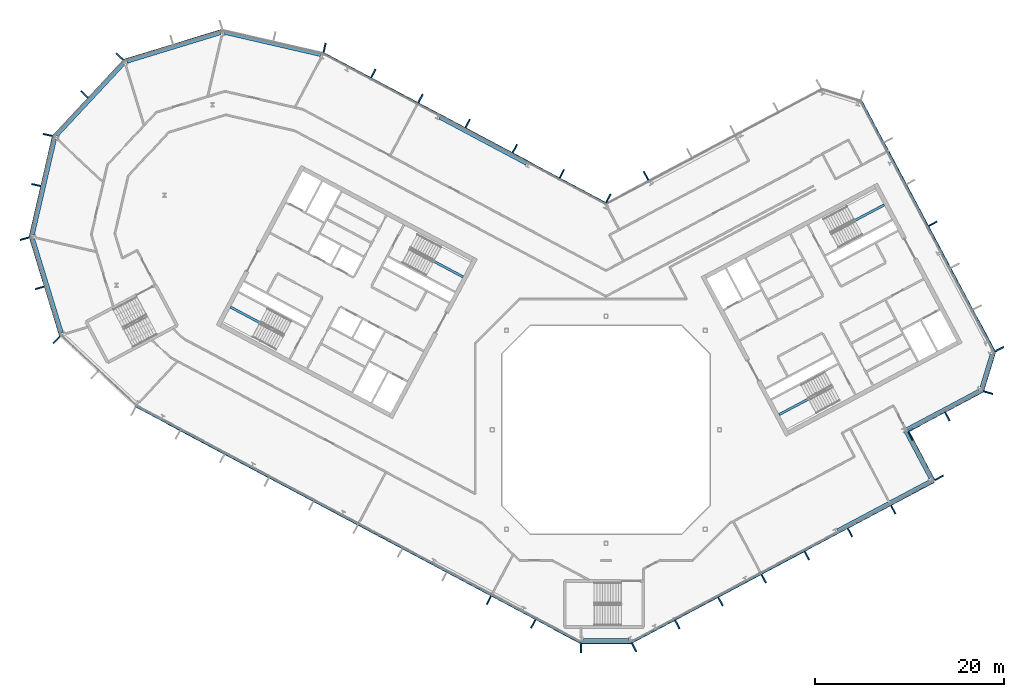
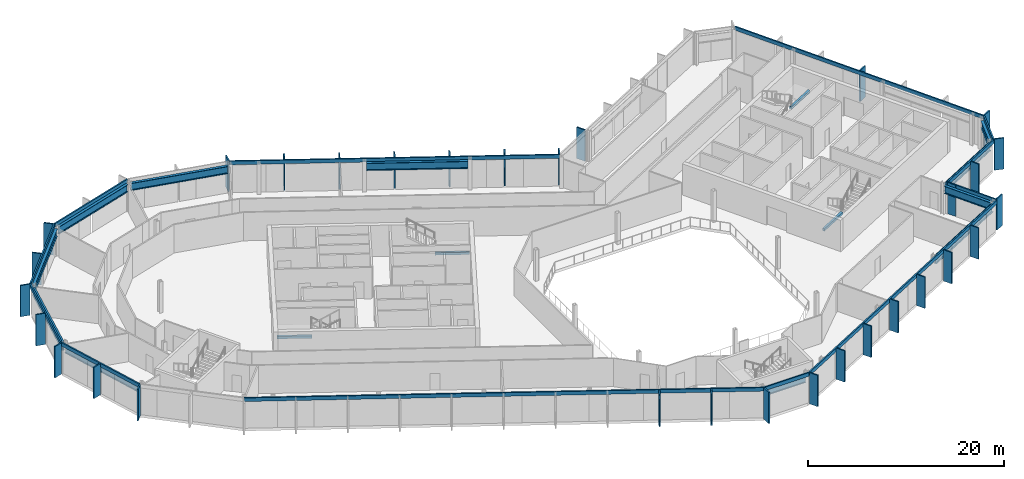
# One storey, part 9 of 26: 43 members, 15 beams, 15 elements without a shape of their own.
"""IFC4 building model written with IfcOpenShell, lengths in metres."""

import ifcopenshell
import ifcopenshell.guid

model = None  # the IFC model being written
_history = None  # IfcOwnerHistory: only IFC2X3 demands one
_inside = {}  # id of a spatial element -> (the spatial element, [elements in it])
_under = {}  # id of a project, library or spatial element -> (it, [spatial elements below it])
_declared = {}  # id of a project -> (the project, [libraries it declares])
_typed = {}  # id of a type object -> (the type object, [elements of that type])
_made_of = {}  # id of a material, layer set ... -> (it, [elements and type objects made of it])


def new_model(schema):
    """Start an empty IFC model of exactly this schema.

    Asked for "IFC4X3", IfcOpenShell would pick the latest addendum, in which some entities
    have other attributes; the version numbers below select the first issue.
    IFC2X3 requires an IfcOwnerHistory on every rooted entity: one is made here for all.
    """
    global model, _history
    if schema == "IFC4X3":
        model = ifcopenshell.file(schema_version=(4, 3, 0, 0))
    else:
        model = ifcopenshell.file(schema=schema)
    _inside.clear()
    _under.clear()
    _declared.clear()
    _typed.clear()
    _made_of.clear()
    _history = None
    if model.schema == "IFC2X3":
        org = make("IfcOrganization", Name="unknown")
        user = make(
            "IfcPersonAndOrganization",
            ThePerson=make("IfcPerson", FamilyName="unknown"),
            TheOrganization=org,
        )
        app = make(
            "IfcApplication",
            ApplicationDeveloper=org,
            Version="unknown",
            ApplicationFullName="unknown",
            ApplicationIdentifier="unknown",
        )
        _history = make(
            "IfcOwnerHistory",
            OwningUser=user,
            OwningApplication=app,
            ChangeAction="ADDED",
            CreationDate=0,
        )
    return model


def make(cls, **values):
    """One entity of the class cls with the attributes given. An attribute that is None is left unset."""
    return model.create_entity(
        cls, **{name: value for name, value in values.items() if value is not None}
    )


def rooted(cls, **values):
    """An entity with a GlobalId (a new one), such as an element, a storey or a relation."""
    return make(cls, GlobalId=ifcopenshell.guid.new(), OwnerHistory=_history, **values)


def si_unit(unit_type, name, prefix=None):
    """IfcSIUnit, for example si_unit("LENGTHUNIT", "METRE", prefix="MILLI")."""
    return make("IfcSIUnit", UnitType=unit_type, Prefix=prefix, Name=name)


def assignment(units):
    """IfcUnitAssignment: the units of a project."""
    return None if units is None else make("IfcUnitAssignment", Units=units)


def point(xyz):
    """IfcCartesianPoint."""
    return None if xyz is None else make("IfcCartesianPoint", Coordinates=xyz)


def direction(xyz):
    """IfcDirection."""
    return None if xyz is None else make("IfcDirection", DirectionRatios=xyz)


def frame(location, z_axis=None, x_axis=None):
    """IfcAxis2Placement3D, a coordinate frame: its origin and axes. An axis left out is left unset."""
    return make(
        "IfcAxis2Placement3D",
        Location=point(location),
        Axis=direction(z_axis),
        RefDirection=direction(x_axis),
    )


def frame_2d(location, x_axis=None):
    """IfcAxis2Placement2D, a coordinate frame in the plane: its origin and x axis."""
    return make(
        "IfcAxis2Placement2D", Location=point(location), RefDirection=direction(x_axis)
    )


def origin():
    """The frame at (0, 0, 0) with its axes left unset."""
    return frame((0.0, 0.0, 0.0))


def origin_2d():
    """The frame at (0, 0) in the plane with its x axis left unset."""
    return frame_2d((0.0, 0.0))


def place(relative_to, where):
    """IfcLocalPlacement: puts the frame where relative to a parent placement (None: the world)."""
    return make(
        "IfcLocalPlacement", PlacementRelTo=relative_to, RelativePlacement=where
    )


def context(
    kind, dimensions, precision=None, world=None, true_north=None, identifier=None
):
    """IfcGeometricRepresentationContext, for example the 3D "Model" context."""
    return make(
        "IfcGeometricRepresentationContext",
        ContextIdentifier=identifier,
        ContextType=kind,
        CoordinateSpaceDimension=dimensions,
        Precision=precision,
        WorldCoordinateSystem=world,
        TrueNorth=true_north,
    )


def subcontext(parent, identifier, kind, view, scale=None):
    """IfcGeometricRepresentationSubContext, for example "Body" below "Model"."""
    return make(
        "IfcGeometricRepresentationSubContext",
        ContextIdentifier=identifier,
        ContextType=kind,
        ParentContext=parent,
        TargetScale=scale,
        TargetView=view,
    )


def project(units=None, contexts=None):
    """IfcProject with its units and contexts."""
    return rooted(
        "IfcProject",
        Name="project",
        RepresentationContexts=contexts,
        UnitsInContext=assignment(units),
    )


def spatial(cls, under=None, at=None, **own):
    """A site, building, storey or space (cls), placed at a placement, below another one or the project."""
    s = rooted(cls, ObjectPlacement=at, **own)
    if under is not None:
        _under.setdefault(under.id(), (under, []))[1].append(s)
    return s


def profile(cls, at=None, kind="AREA", **sizes):
    """A parametric profile (cls). Its sizes go by their IFC names, for example OverallWidth=200.0."""
    return make(cls, ProfileType=kind, Position=at, **sizes)


def rectangle(**sizes):
    """IfcRectangleProfileDef."""
    return profile("IfcRectangleProfileDef", **sizes)


def i_section(**sizes):
    """IfcIShapeProfileDef."""
    return profile("IfcIShapeProfileDef", **sizes)


def extrude(swept, where, along, depth):
    """IfcExtrudedAreaSolid: the profile swept, set in the frame where, extruded along a direction by depth."""
    return make(
        "IfcExtrudedAreaSolid",
        SweptArea=swept,
        Position=where,
        ExtrudedDirection=direction(along),
        Depth=depth,
    )


def shape(context_of_items, identifier, shape_type, items):
    """IfcShapeRepresentation: the items that make up one representation, for example the "Body"."""
    return make(
        "IfcShapeRepresentation",
        ContextOfItems=context_of_items,
        RepresentationIdentifier=identifier,
        RepresentationType=shape_type,
        Items=items,
    )


def material(Name=None, Category=None):
    """IfcMaterial."""
    return make("IfcMaterial", Name=Name, Category=Category)


def layer(
    of_material, thickness, ventilated=None, Name=None, Category=None, Priority=None
):
    """IfcMaterialLayer: one layer of a wall or slab, of a material (None: an air gap)."""
    return make(
        "IfcMaterialLayer",
        Material=of_material,
        LayerThickness=thickness,
        IsVentilated=ventilated,
        Name=Name,
        Category=Category,
        Priority=Priority,
    )


def layer_set(layers, Name=None):
    """IfcMaterialLayerSet."""
    return make("IfcMaterialLayerSet", MaterialLayers=layers, LayerSetName=Name)


def material_profile(
    of_material, cross_section, Name=None, Category=None, Priority=None
):
    """IfcMaterialProfile: a cross section and its material."""
    return make(
        "IfcMaterialProfile",
        Name=Name,
        Material=of_material,
        Profile=cross_section,
        Priority=Priority,
        Category=Category,
    )


def profile_set(profiles, Name=None, composite=None):
    """IfcMaterialProfileSet."""
    return make(
        "IfcMaterialProfileSet",
        Name=Name,
        MaterialProfiles=profiles,
        CompositeProfile=composite,
    )


def made_of(thing, what):
    """Note that an element or type object is made of a material, layer set ...; save() writes the relation."""
    if what is not None:
        _made_of.setdefault(what.id(), (what, []))[1].append(thing)
    return thing


def type_object(cls, material=None, **own):
    """A type object (cls), such as IfcWallType, which elements share."""
    return made_of(rooted(cls, **own), material)


def element(
    cls,
    number,
    at=None,
    inside=None,
    cuts=None,
    type_object=None,
    material=None,
    context=None,
    identifier="Body",
    shape_type=None,
    held_by="IfcProductDefinitionShape",
    body=None,
    shapes=None,
    **own,
):
    """One element of the class cls, such as IfcWall. Its Tag is "e" and its number.

    at: its placement. inside: the storey or other place that contains it. cuts: it is an
    opening in that element (IfcRelVoidsElement). A single representation is given by context,
    identifier, shape_type and body (its items); several are given by shapes. held_by: the class
    of the entity that holds the representations. save() writes the other relations.
    """
    e = rooted(cls, Tag="e%d" % number, ObjectPlacement=at, **own)
    if body is not None:
        shapes = [shape(context, identifier, shape_type, body)]
    if shapes is not None:
        e.Representation = make(held_by, Representations=shapes)
    if inside is not None:
        _inside.setdefault(inside.id(), (inside, []))[1].append(e)
    if cuts is not None:
        rooted(
            "IfcRelVoidsElement", RelatingBuildingElement=cuts, RelatedOpeningElement=e
        )
    if type_object is not None:
        _typed.setdefault(type_object.id(), (type_object, []))[1].append(e)
    return made_of(e, material)


def aggregate(whole, parts):
    """IfcRelAggregates: a whole, such as a stair, and the parts it consists of."""
    return rooted("IfcRelAggregates", RelatingObject=whole, RelatedObjects=parts)


def save(model, path):
    """Write the relations noted so far, then the file.

    IfcRelAggregates (storeys below a building ...), IfcRelContainedInSpatialStructure (elements
    in a storey), IfcRelDefinesByType, IfcRelAssociatesMaterial and IfcRelDeclares: one each for
    every whole, place, type object, material and project.
    """
    for whole, parts in _under.values():
        aggregate(whole, parts)
    for where, things in _inside.values():
        rooted(
            "IfcRelContainedInSpatialStructure",
            RelatedElements=things,
            RelatingStructure=where,
        )
    for kind, things in _typed.values():
        rooted("IfcRelDefinesByType", RelatedObjects=things, RelatingType=kind)
    for what, things in _made_of.values():
        rooted("IfcRelAssociatesMaterial", RelatedObjects=things, RelatingMaterial=what)
    for by, libraries in _declared.values():
        rooted("IfcRelDeclares", RelatingContext=by, RelatedDefinitions=libraries)
    model.write(path)


model = new_model("IFC4")

# Units and contexts
model_context = context("Model", 3, precision=1e-05, world=origin(), true_north=direction((0.0, 1.0)))
body_context = subcontext(model_context, "Body", "Model", "MODEL_VIEW")
ifc_project = project(units=[si_unit("LENGTHUNIT", "METRE"), si_unit("AREAUNIT", "SQUARE_METRE"), si_unit("VOLUMEUNIT", "CUBIC_METRE"), si_unit("PLANEANGLEUNIT", "RADIAN"), si_unit("MASSUNIT", "GRAM", prefix="KILO")], contexts=[model_context])

# Site, building, storey
site_placement = place(None, origin())
site = spatial("IfcSite", under=ifc_project, at=site_placement, CompositionType="ELEMENT")
building_placement = place(site_placement, origin())
building = spatial("IfcBuilding", under=site, at=building_placement, Name="Cormorant Relay Tower", CompositionType="ELEMENT")
storey_placement = place(building_placement, frame((0.0, 0.0, 293.10009765625)))
storey = spatial("IfcBuildingStorey", under=building, at=storey_placement, Name="L66", CompositionType="ELEMENT", Elevation=293.10009765625)

# Curtain wall, member
ifc_material_1 = material(Name="Aluminium 6063-T6 anodised bronze", Category="aluminium")
ifc_layer = layer(ifc_material_1, 0.199951171875)
ifc_layer_set = layer_set([ifc_layer], Name="CW1 unitised bronze curtain wall with vertical fins")
curtain_wall_type = type_object("IfcCurtainWallType", Name="CW1 unitised bronze curtain wall with vertical fins", PredefinedType="NOTDEFINED", material=ifc_layer_set)
curtain_wall_1_placement = place(storey_placement, origin())
curtain_wall_1 = element("IfcCurtainWall", 1, at=curtain_wall_1_placement, inside=storey, type_object=curtain_wall_type, Name="CW1 curtain wall 1", PredefinedType="NOTDEFINED")
ifc_material_2 = material(Name="Aluminium 6063-T6 anodised bronze", Category="aluminium")
ifc_material_profile_1 = material_profile(ifc_material_2, rectangle(XDim=0.14990234375, YDim=1.0, at=origin_2d()), Name="AL 150x1000")
ifc_profile_set_1 = profile_set([ifc_material_profile_1], Name="Aluminium 6063-T6 anodised bronze")
member_type_1 = type_object("IfcMemberType", Name="CW1 bronze fin mullion 150 x 1000", PredefinedType="MULLION", material=ifc_profile_set_1)
member_1_placement = place(storey_placement, frame((-2.648681640625, -23.07568359375, 0.0), z_axis=(0.0, 0.0, 1.0), x_axis=(1.0, 0.0, 0.0)))
member_1 = element("IfcMember", 2, at=member_1_placement, type_object=member_type_1, Name="CW1 fin 1.1", PredefinedType="MULLION", context=body_context, shape_type="SweptSolid", body=[
    extrude(rectangle(XDim=0.14990234375, YDim=1.0, at=origin_2d()), origin(), (0.0, 0.0, 1.0), 3.89990234375),
])

# Curtain wall, members
curtain_wall_2_placement = place(storey_placement, origin())
curtain_wall_2 = element("IfcCurtainWall", 3, at=curtain_wall_2_placement, inside=storey, type_object=curtain_wall_type, Name="CW1 curtain wall 2", PredefinedType="NOTDEFINED")
member_2_placement = place(storey_placement, frame((2.9775390625, -22.99365234375, 0.0), z_axis=(0.0, 0.0, 1.0), x_axis=(0.882947592859, 0.469471562786, 0.0)))
member_2 = element("IfcMember", 4, at=member_2_placement, type_object=member_type_1, Name="CW1 fin 2.1", PredefinedType="MULLION", context=body_context, shape_type="SweptSolid", body=[
    extrude(rectangle(XDim=0.14990234375, YDim=1.0, at=origin_2d()), origin(), (0.0, 0.0, 1.0), 3.89990234375),
])
member_3_placement = place(storey_placement, frame((7.539306640625, -20.568115234375, 0.0), z_axis=(0.0, 0.0, 1.0), x_axis=(0.882947592859, 0.469471562786, 0.0)))
member_3 = element("IfcMember", 5, at=member_3_placement, type_object=member_type_1, Name="CW1 fin 2.2", PredefinedType="MULLION", context=body_context, shape_type="SweptSolid", body=[
    extrude(rectangle(XDim=0.14990234375, YDim=1.0, at=origin_2d()), origin(), (0.0, 0.0, 1.0), 3.89990234375),
])
member_4_placement = place(storey_placement, frame((12.10107421875, -18.142578125, 0.0), z_axis=(0.0, 0.0, 1.0), x_axis=(0.882947592859, 0.469471562786, 0.0)))
member_4 = element("IfcMember", 6, at=member_4_placement, type_object=member_type_1, Name="CW1 fin 2.3", PredefinedType="MULLION", context=body_context, shape_type="SweptSolid", body=[
    extrude(rectangle(XDim=0.14990234375, YDim=1.0, at=origin_2d()), origin(), (0.0, 0.0, 1.0), 3.89990234375),
])
member_5_placement = place(storey_placement, frame((16.662841796875, -15.717041015625, 0.0), z_axis=(0.0, 0.0, 1.0), x_axis=(0.882947592859, 0.469471562786, 0.0)))
member_5 = element("IfcMember", 7, at=member_5_placement, type_object=member_type_1, Name="CW1 fin 2.4", PredefinedType="MULLION", context=body_context, shape_type="SweptSolid", body=[
    extrude(rectangle(XDim=0.14990234375, YDim=1.0, at=origin_2d()), origin(), (0.0, 0.0, 1.0), 3.89990234375),
])
member_6_placement = place(storey_placement, frame((21.224609375, -13.29150390625, 0.0), z_axis=(0.0, 0.0, 1.0), x_axis=(0.882947592859, 0.469471562786, 0.0)))
member_6 = element("IfcMember", 8, at=member_6_placement, type_object=member_type_1, Name="CW1 fin 2.5", PredefinedType="MULLION", context=body_context, shape_type="SweptSolid", body=[
    extrude(rectangle(XDim=0.14990234375, YDim=1.0, at=origin_2d()), origin(), (0.0, 0.0, 1.0), 3.89990234375),
])
member_7_placement = place(storey_placement, frame((25.78662109375, -10.865966796875, 0.0), z_axis=(0.0, 0.0, 1.0), x_axis=(0.882947592859, 0.469471562786, 0.0)))
member_7 = element("IfcMember", 9, at=member_7_placement, type_object=member_type_1, Name="CW1 fin 2.6", PredefinedType="MULLION", context=body_context, shape_type="SweptSolid", body=[
    extrude(rectangle(XDim=0.14990234375, YDim=1.0, at=origin_2d()), origin(), (0.0, 0.0, 1.0), 3.89990234375),
])
member_8_placement = place(storey_placement, frame((30.348388671875, -8.440185546875, 0.0), z_axis=(0.0, 0.0, 1.0), x_axis=(0.882947592859, 0.469471562786, 0.0)))
member_8 = element("IfcMember", 10, at=member_8_placement, type_object=member_type_1, Name="CW1 fin 2.7", PredefinedType="MULLION", context=body_context, shape_type="SweptSolid", body=[
    extrude(rectangle(XDim=0.14990234375, YDim=1.0, at=origin_2d()), origin(), (0.0, 0.0, 1.0), 3.89990234375),
])

# Curtain wall, member
curtain_wall_3_placement = place(storey_placement, origin())
curtain_wall_3 = element("IfcCurtainWall", 11, at=curtain_wall_3_placement, inside=storey, type_object=curtain_wall_type, Name="CW1 curtain wall 3", PredefinedType="NOTDEFINED")
member_9_placement = place(storey_placement, frame((35.199462890625, -5.068115234375, 0.0), z_axis=(0.0, 0.0, 1.0), x_axis=(-0.469471562786, 0.882947592859, 0.0)))
member_9 = element("IfcMember", 12, at=member_9_placement, type_object=member_type_1, Name="CW1 fin 3.1", PredefinedType="MULLION", context=body_context, shape_type="SweptSolid", body=[
    extrude(rectangle(XDim=0.14990234375, YDim=1.0, at=origin_2d()), origin(), (0.0, 0.0, 1.0), 3.89990234375),
])

# Curtain wall, members
curtain_wall_4_placement = place(storey_placement, origin())
curtain_wall_4 = element("IfcCurtainWall", 13, at=curtain_wall_4_placement, inside=storey, type_object=curtain_wall_type, Name="CW1 curtain wall 4", PredefinedType="NOTDEFINED")
member_10_placement = place(storey_placement, frame((32.159423828125, -0.681884765625, 0.0), z_axis=(0.0, 0.0, 1.0), x_axis=(0.882947592859, 0.469471562786, 0.0)))
member_10 = element("IfcMember", 14, at=member_10_placement, type_object=member_type_1, Name="CW1 fin 4.1", PredefinedType="MULLION", context=body_context, shape_type="SweptSolid", body=[
    extrude(rectangle(XDim=0.14990234375, YDim=1.0, at=origin_2d()), origin(), (0.0, 0.0, 1.0), 3.89990234375),
])
member_11_placement = place(storey_placement, frame((36.06640625, 1.3955078125, 0.0), z_axis=(0.0, 0.0, 1.0), x_axis=(0.882947592859, 0.469471562786, 0.0)))
member_11 = element("IfcMember", 15, at=member_11_placement, type_object=member_type_1, Name="CW1 fin 4.2", PredefinedType="MULLION", context=body_context, shape_type="SweptSolid", body=[
    extrude(rectangle(XDim=0.14990234375, YDim=1.0, at=origin_2d()), origin(), (0.0, 0.0, 1.0), 3.89990234375),
])

# Curtain wall, member
curtain_wall_5_placement = place(storey_placement, origin())
curtain_wall_5 = element("IfcCurtainWall", 16, at=curtain_wall_5_placement, inside=storey, type_object=curtain_wall_type, Name="CW1 curtain wall 5", PredefinedType="NOTDEFINED")
member_12_placement = place(storey_placement, frame((40.380615234375, 3.921630859375, 0.0), z_axis=(0.0, 0.0, 1.0), x_axis=(0.292371704723, 0.956304755963, 0.0)))
member_12 = element("IfcMember", 17, at=member_12_placement, type_object=member_type_1, Name="CW1 fin 5.1", PredefinedType="MULLION", context=body_context, shape_type="SweptSolid", body=[
    extrude(rectangle(XDim=0.14990234375, YDim=1.0, at=origin_2d()), origin(), (0.0, 0.0, 1.0), 3.89990234375),
])

# Curtain wall, members
curtain_wall_6_placement = place(storey_placement, origin())
curtain_wall_6 = element("IfcCurtainWall", 18, at=curtain_wall_6_placement, inside=storey, type_object=curtain_wall_type, Name="CW1 curtain wall 6", PredefinedType="NOTDEFINED")
member_13_placement = place(storey_placement, frame((41.569580078125, 8.51220703125, 0.0), z_axis=(0.0, 0.0, 1.0), x_axis=(-0.469471562786, 0.882947592859, 0.0)))
member_13 = element("IfcMember", 19, at=member_13_placement, type_object=member_type_1, Name="CW1 fin 6.1", PredefinedType="MULLION", context=body_context, shape_type="SweptSolid", body=[
    extrude(rectangle(XDim=0.14990234375, YDim=1.0, at=origin_2d()), origin(), (0.0, 0.0, 1.0), 3.89990234375),
])
member_14_placement = place(storey_placement, frame((34.527587890625, 21.75634765625, 0.0), z_axis=(0.0, 0.0, 1.0), x_axis=(-0.469471562786, 0.882947592859, 0.0)))
member_14 = element("IfcMember", 20, at=member_14_placement, type_object=member_type_1, Name="CW1 fin 6.4", PredefinedType="MULLION", context=body_context, shape_type="SweptSolid", body=[
    extrude(rectangle(XDim=0.14990234375, YDim=1.0, at=origin_2d()), origin(), (0.0, 0.0, 1.0), 3.89990234375),
])

# Curtain wall, member
curtain_wall_7_placement = place(storey_placement, origin())
curtain_wall_7 = element("IfcCurtainWall", 21, at=curtain_wall_7_placement, inside=storey, type_object=curtain_wall_type, Name="CW1 curtain wall 8", PredefinedType="NOTDEFINED")
member_15_placement = place(storey_placement, frame((4.2333984375, 26.82763671875, 0.0), z_axis=(0.0, 0.0, 1.0), x_axis=(-0.882947592859, -0.469471562786, 0.0)))
member_15 = element("IfcMember", 22, at=member_15_placement, type_object=member_type_1, Name="CW1 fin 8.5", PredefinedType="MULLION", context=body_context, shape_type="SweptSolid", body=[
    extrude(rectangle(XDim=0.14990234375, YDim=1.0, at=origin_2d()), origin(), (0.0, 0.0, 1.0), 3.89990234375),
])
aggregate(curtain_wall_7, [member_15])

# Curtain wall, members
curtain_wall_8_placement = place(storey_placement, origin())
curtain_wall_8 = element("IfcCurtainWall", 23, at=curtain_wall_8_placement, inside=storey, type_object=curtain_wall_type, Name="CW1 curtain wall 9", PredefinedType="NOTDEFINED")
member_16_placement = place(storey_placement, frame((0.262451171875, 24.437255859375, 0.0), z_axis=(0.0, 0.0, 1.0), x_axis=(-0.882947592859, 0.469471562786, 0.0)))
member_16 = element("IfcMember", 24, at=member_16_placement, type_object=member_type_1, Name="CW1 fin 9.1", PredefinedType="MULLION", context=body_context, shape_type="SweptSolid", body=[
    extrude(rectangle(XDim=0.14990234375, YDim=1.0, at=origin_2d()), origin(), (0.0, 0.0, 1.0), 3.89990234375),
])
member_17_placement = place(storey_placement, frame((-4.650390625, 27.04931640625, 0.0), z_axis=(0.0, 0.0, 1.0), x_axis=(-0.882947592859, 0.469471562786, 0.0)))
member_17 = element("IfcMember", 25, at=member_17_placement, type_object=member_type_1, Name="CW1 fin 9.2", PredefinedType="MULLION", context=body_context, shape_type="SweptSolid", body=[
    extrude(rectangle(XDim=0.14990234375, YDim=1.0, at=origin_2d()), origin(), (0.0, 0.0, 1.0), 3.89990234375),
])
member_18_placement = place(storey_placement, frame((-9.62939453125, 29.69677734375, 0.0), z_axis=(0.0, 0.0, 1.0), x_axis=(-0.882947592859, 0.469471562786, 0.0)))
member_18 = element("IfcMember", 26, at=member_18_placement, type_object=member_type_1, Name="CW1 fin 9.3", PredefinedType="MULLION", context=body_context, shape_type="SweptSolid", body=[
    extrude(rectangle(XDim=0.14990234375, YDim=1.0, at=origin_2d()), origin(), (0.0, 0.0, 1.0), 3.89990234375),
])
member_19_placement = place(storey_placement, frame((-14.608154296875, 32.343994140625, 0.0), z_axis=(0.0, 0.0, 1.0), x_axis=(-0.882947592859, 0.469471562786, 0.0)))
member_19 = element("IfcMember", 27, at=member_19_placement, type_object=member_type_1, Name="CW1 fin 9.4", PredefinedType="MULLION", context=body_context, shape_type="SweptSolid", body=[
    extrude(rectangle(XDim=0.14990234375, YDim=1.0, at=origin_2d()), origin(), (0.0, 0.0, 1.0), 3.89990234375),
])
member_20_placement = place(storey_placement, frame((-19.587158203125, 34.991455078125, 0.0), z_axis=(0.0, 0.0, 1.0), x_axis=(-0.882947592859, 0.469471562786, 0.0)))
member_20 = element("IfcMember", 28, at=member_20_placement, type_object=member_type_1, Name="CW1 fin 9.5", PredefinedType="MULLION", context=body_context, shape_type="SweptSolid", body=[
    extrude(rectangle(XDim=0.14990234375, YDim=1.0, at=origin_2d()), origin(), (0.0, 0.0, 1.0), 3.89990234375),
])
member_21_placement = place(storey_placement, frame((-24.566162109375, 37.638916015625, 0.0), z_axis=(0.0, 0.0, 1.0), x_axis=(-0.882947592859, 0.469471562786, 0.0)))
member_21 = element("IfcMember", 29, at=member_21_placement, type_object=member_type_1, Name="CW1 fin 9.6", PredefinedType="MULLION", context=body_context, shape_type="SweptSolid", body=[
    extrude(rectangle(XDim=0.14990234375, YDim=1.0, at=origin_2d()), origin(), (0.0, 0.0, 1.0), 3.89990234375),
])

# Curtain wall, member
curtain_wall_9_placement = place(storey_placement, origin())
curtain_wall_9 = element("IfcCurtainWall", 30, at=curtain_wall_9_placement, inside=storey, type_object=curtain_wall_type, Name="CW1 curtain wall 10", PredefinedType="NOTDEFINED")
member_22_placement = place(storey_placement, frame((-29.71630859375, 40.35009765625, 0.0), z_axis=(0.0, 0.0, 1.0), x_axis=(-0.974370064785, 0.224951054344, 0.0)))
member_22 = element("IfcMember", 31, at=member_22_placement, type_object=member_type_1, Name="CW1 fin 10.1", PredefinedType="MULLION", context=body_context, shape_type="SweptSolid", body=[
    extrude(rectangle(XDim=0.14990234375, YDim=1.0, at=origin_2d()), origin(), (0.0, 0.0, 1.0), 3.89990234375),
])
aggregate(curtain_wall_9, [member_22])

# Curtain wall, members
curtain_wall_10_placement = place(storey_placement, origin())
curtain_wall_10 = element("IfcCurtainWall", 32, at=curtain_wall_10_placement, inside=storey, type_object=curtain_wall_type, Name="CW1 curtain wall 12", PredefinedType="NOTDEFINED")
member_23_placement = place(storey_placement, frame((-51.372802734375, 39.41259765625, 0.0), z_axis=(0.0, 0.0, 1.0), x_axis=(-0.681998360062, -0.731353701619, 0.0)))
member_23 = element("IfcMember", 33, at=member_23_placement, type_object=member_type_1, Name="CW1 fin 12.1", PredefinedType="MULLION", context=body_context, shape_type="SweptSolid", body=[
    extrude(rectangle(XDim=0.14990234375, YDim=1.0, at=origin_2d()), origin(), (0.0, 0.0, 1.0), 3.89990234375),
])
member_24_placement = place(storey_placement, frame((-55.07958984375, 35.4375, 0.0), z_axis=(0.0, 0.0, 1.0), x_axis=(-0.681998360062, -0.731353701619, 0.0)))
member_24 = element("IfcMember", 34, at=member_24_placement, type_object=member_type_1, Name="CW1 fin 12.2", PredefinedType="MULLION", context=body_context, shape_type="SweptSolid", body=[
    extrude(rectangle(XDim=0.14990234375, YDim=1.0, at=origin_2d()), origin(), (0.0, 0.0, 1.0), 3.89990234375),
])

curtain_wall_11_placement = place(storey_placement, origin())
curtain_wall_11 = element("IfcCurtainWall", 35, at=curtain_wall_11_placement, inside=storey, type_object=curtain_wall_type, Name="CW1 curtain wall 13", PredefinedType="NOTDEFINED")
member_25_placement = place(storey_placement, frame((-58.95654296875, 31.142578125, 0.0), z_axis=(0.0, 0.0, 1.0), x_axis=(-0.224951054344, -0.974370064785, 0.0)))
member_25 = element("IfcMember", 36, at=member_25_placement, type_object=member_type_1, Name="CW1 fin 13.1", PredefinedType="MULLION", context=body_context, shape_type="SweptSolid", body=[
    extrude(rectangle(XDim=0.14990234375, YDim=1.0, at=origin_2d()), origin(), (0.0, 0.0, 1.0), 3.89990234375),
])
member_26_placement = place(storey_placement, frame((-60.17919921875, 25.8466796875, 0.0), z_axis=(0.0, 0.0, 1.0), x_axis=(-0.224951054344, -0.974370064785, 0.0)))
member_26 = element("IfcMember", 37, at=member_26_placement, type_object=member_type_1, Name="CW1 fin 13.2", PredefinedType="MULLION", context=body_context, shape_type="SweptSolid", body=[
    extrude(rectangle(XDim=0.14990234375, YDim=1.0, at=origin_2d()), origin(), (0.0, 0.0, 1.0), 3.89990234375),
])

curtain_wall_12_placement = place(storey_placement, origin())
curtain_wall_12 = element("IfcCurtainWall", 38, at=curtain_wall_12_placement, inside=storey, type_object=curtain_wall_type, Name="CW1 curtain wall 14", PredefinedType="NOTDEFINED")
member_27_placement = place(storey_placement, frame((-61.389404296875, 20.188720703125, 0.0), z_axis=(0.0, 0.0, 1.0), x_axis=(0.292371704723, -0.956304755963, 0.0)))
member_27 = element("IfcMember", 39, at=member_27_placement, type_object=member_type_1, Name="CW1 fin 14.1", PredefinedType="MULLION", context=body_context, shape_type="SweptSolid", body=[
    extrude(rectangle(XDim=0.14990234375, YDim=1.0, at=origin_2d()), origin(), (0.0, 0.0, 1.0), 3.89990234375),
])
member_28_placement = place(storey_placement, frame((-59.80029296875, 14.990966796875, 0.0), z_axis=(0.0, 0.0, 1.0), x_axis=(0.292371704723, -0.956304755963, 0.0)))
member_28 = element("IfcMember", 40, at=member_28_placement, type_object=member_type_1, Name="CW1 fin 14.2", PredefinedType="MULLION", context=body_context, shape_type="SweptSolid", body=[
    extrude(rectangle(XDim=0.14990234375, YDim=1.0, at=origin_2d()), origin(), (0.0, 0.0, 1.0), 3.89990234375),
])

# Curtain wall, member
curtain_wall_13_placement = place(storey_placement, origin())
curtain_wall_13 = element("IfcCurtainWall", 41, at=curtain_wall_13_placement, inside=storey, type_object=curtain_wall_type, Name="CW1 curtain wall 15", PredefinedType="NOTDEFINED")
member_29_placement = place(storey_placement, frame((-58.01904296875, 9.486083984375, 0.0), z_axis=(0.0, 0.0, 1.0), x_axis=(0.731353701619, -0.681998360062, 0.0)))
member_29 = element("IfcMember", 42, at=member_29_placement, type_object=member_type_1, Name="CW1 fin 15.1", PredefinedType="MULLION", context=body_context, shape_type="SweptSolid", body=[
    extrude(rectangle(XDim=0.14990234375, YDim=1.0, at=origin_2d()), origin(), (0.0, 0.0, 1.0), 3.89990234375),
])
aggregate(curtain_wall_13, [member_29])

# Curtain wall, members
curtain_wall_14_placement = place(storey_placement, origin())
curtain_wall_14 = element("IfcCurtainWall", 43, at=curtain_wall_14_placement, inside=storey, type_object=curtain_wall_type, Name="CW1 curtain wall 16", PredefinedType="NOTDEFINED")
member_30_placement = place(storey_placement, frame((-12.365966796875, -18.001708984375, 0.0), z_axis=(0.0, 0.0, 1.0), x_axis=(0.882947592859, -0.469471562786, 0.0)))
member_30 = element("IfcMember", 44, at=member_30_placement, type_object=member_type_1, Name="CW1 fin 16.9", PredefinedType="MULLION", context=body_context, shape_type="SweptSolid", body=[
    extrude(rectangle(XDim=0.14990234375, YDim=1.0, at=origin_2d()), origin(), (0.0, 0.0, 1.0), 3.89990234375),
])
member_31_placement = place(storey_placement, frame((-7.671630859375, -20.49755859375, 0.0), z_axis=(0.0, 0.0, 1.0), x_axis=(0.882947592859, -0.469471562786, 0.0)))
member_31 = element("IfcMember", 45, at=member_31_placement, type_object=member_type_1, Name="CW1 fin 16.10", PredefinedType="MULLION", context=body_context, shape_type="SweptSolid", body=[
    extrude(rectangle(XDim=0.14990234375, YDim=1.0, at=origin_2d()), origin(), (0.0, 0.0, 1.0), 3.89990234375),
])

# Member
ifc_material_3 = material(Name="Aluminium 6063-T6 anodised bronze", Category="aluminium")
ifc_material_profile_2 = material_profile(ifc_material_3, rectangle(XDim=0.159912109375, YDim=0.449951171875, at=origin_2d()), Name="AL 160x450")
ifc_profile_set_2 = profile_set([ifc_material_profile_2], Name="Aluminium 6063-T6 anodised bronze")
member_type_2 = type_object("IfcMemberType", Name="CW1 bronze transom 160 x 450", PredefinedType="USERDEFINED", material=ifc_profile_set_2)
member_32_placement = place(storey_placement, frame((-2.648681640625, -22.49560546875, 3.6748046875), z_axis=(1.0, 0.0, 0.0), x_axis=(0.0, 1.0, 0.0)))
member_32 = element("IfcMember", 46, at=member_32_placement, type_object=member_type_2, Name="CW1 transom 1", ObjectType="TRANSOM", PredefinedType="USERDEFINED", context=body_context, shape_type="SweptSolid", body=[
    extrude(rectangle(XDim=0.159912109375, YDim=0.449951171875, at=origin_2d()), origin(), (0.0, 0.0, 1.0), 5.29736328125),
])

aggregate(curtain_wall_1, [member_1, member_32])

member_33_placement = place(storey_placement, frame((2.705078125, -22.4814453125, 3.6748046875), z_axis=(0.882948899141, 0.469469106018, 0.0), x_axis=(-0.469469106018, 0.882948899141, 0.0)))
member_33 = element("IfcMember", 47, at=member_33_placement, type_object=member_type_2, Name="CW1 transom 2", ObjectType="TRANSOM", PredefinedType="USERDEFINED", context=body_context, shape_type="SweptSolid", body=[
    extrude(rectangle(XDim=0.159912109375, YDim=0.449951171875, at=origin_2d()), origin(), (0.0, 0.0, 1.0), 36.165771484375),
])

aggregate(curtain_wall_2, [member_2, member_3, member_4, member_5, member_6, member_7, member_8, member_33])

member_34_placement = place(storey_placement, frame((34.6875, -5.34033203125, 3.6748046875), z_axis=(-0.469485426614, 0.882940221191, 0.0), x_axis=(-0.882940221191, -0.469485426614, 0.0)))
member_34 = element("IfcMember", 48, at=member_34_placement, type_object=member_type_2, Name="CW1 transom 3", ObjectType="TRANSOM", PredefinedType="USERDEFINED", context=body_context, shape_type="SweptSolid", body=[
    extrude(rectangle(XDim=0.159912109375, YDim=0.449951171875, at=origin_2d()), origin(), (0.0, 0.0, 1.0), 6.0),
])

aggregate(curtain_wall_3, [member_9, member_34])

member_35_placement = place(storey_placement, frame((31.82080078125, -0.205078125, 3.6748046875), z_axis=(0.882949189538, 0.469468559857, 0.0), x_axis=(-0.469468559857, 0.882949189538, 0.0)))
member_35 = element("IfcMember", 49, at=member_35_placement, type_object=member_type_2, Name="CW1 transom 4", ObjectType="TRANSOM", PredefinedType="USERDEFINED", context=body_context, shape_type="SweptSolid", body=[
    extrude(rectangle(XDim=0.159912109375, YDim=0.449951171875, at=origin_2d()), origin(), (0.0, 0.0, 1.0), 9.000244140625),
])

aggregate(curtain_wall_4, [member_10, member_11, member_35])

member_36_placement = place(storey_placement, frame((39.825927734375, 4.091064453125, 3.6748046875), z_axis=(0.292374957137, 0.956303761594, 0.0), x_axis=(-0.956303761594, 0.292374957137, 0.0)))
member_36 = element("IfcMember", 50, at=member_36_placement, type_object=member_type_2, Name="CW1 transom 5", ObjectType="TRANSOM", PredefinedType="USERDEFINED", context=body_context, shape_type="SweptSolid", body=[
    extrude(rectangle(XDim=0.159912109375, YDim=0.449951171875, at=origin_2d()), origin(), (0.0, 0.0, 1.0), 4.24267578125),
])

aggregate(curtain_wall_5, [member_12, member_36])

member_37_placement = place(storey_placement, frame((41.0576171875, 8.23974609375, 3.6748046875), z_axis=(-0.469472335483, 0.882947182008, 0.0), x_axis=(-0.882947182008, -0.469472335483, 0.0)))
member_37 = element("IfcMember", 51, at=member_37_placement, type_object=member_type_2, Name="CW1 transom 6", ObjectType="TRANSOM", PredefinedType="USERDEFINED", context=body_context, shape_type="SweptSolid", body=[
    extrude(rectangle(XDim=0.159912109375, YDim=0.449951171875, at=origin_2d()), origin(), (0.0, 0.0, 1.0), 30.000244140625),
])

aggregate(curtain_wall_6, [member_13, member_14, member_37])

member_38_placement = place(storey_placement, frame((0.056396484375, 23.889892578125, 3.6748046875), z_axis=(-0.882946280328, 0.46947403129, 0.0), x_axis=(-0.46947403129, -0.882946280328, 0.0)))
member_38 = element("IfcMember", 52, at=member_38_placement, type_object=member_type_2, Name="CW1 transom 9", ObjectType="TRANSOM", PredefinedType="USERDEFINED", context=body_context, shape_type="SweptSolid", body=[
    extrude(rectangle(XDim=0.159912109375, YDim=0.449951171875, at=origin_2d()), origin(), (0.0, 0.0, 1.0), 33.834228515625),
])

aggregate(curtain_wall_8, [member_16, member_17, member_18, member_19, member_20, member_21, member_38])

# Curtain wall, member
curtain_wall_15_placement = place(storey_placement, origin())
curtain_wall_15 = element("IfcCurtainWall", 53, at=curtain_wall_15_placement, inside=storey, type_object=curtain_wall_type, Name="CW1 curtain wall 11", PredefinedType="NOTDEFINED")
member_39_placement = place(storey_placement, frame((-40.50048828125, 42.228271484375, 3.6748046875), z_axis=(-0.956304833932, -0.292371449698, 0.0), x_axis=(0.292371449698, -0.956304833932, 0.0)))
member_39 = element("IfcMember", 54, at=member_39_placement, type_object=member_type_2, Name="CW1 transom 11", ObjectType="TRANSOM", PredefinedType="USERDEFINED", context=body_context, shape_type="SweptSolid", body=[
    extrude(rectangle(XDim=0.159912109375, YDim=0.449951171875, at=origin_2d()), origin(), (0.0, 0.0, 1.0), 10.87060546875),
])
aggregate(curtain_wall_15, [member_39])

# Member
member_40_placement = place(storey_placement, frame((-50.94873046875, 39.01708984375, 3.6748046875), z_axis=(-0.681993299437, -0.731358420696, 0.0), x_axis=(0.731358420696, -0.681993299437, 0.0)))
member_40 = element("IfcMember", 55, at=member_40_placement, type_object=member_type_2, Name="CW1 transom 12", ObjectType="TRANSOM", PredefinedType="USERDEFINED", context=body_context, shape_type="SweptSolid", body=[
    extrude(rectangle(XDim=0.159912109375, YDim=0.449951171875, at=origin_2d()), origin(), (0.0, 0.0, 1.0), 10.870361328125),
])

aggregate(curtain_wall_10, [member_23, member_24, member_40])

member_41_placement = place(storey_placement, frame((-58.3916015625, 31.01220703125, 3.6748046875), z_axis=(-0.22495136131, -0.974369993916, 0.0), x_axis=(0.974369993916, -0.22495136131, 0.0)))
member_41 = element("IfcMember", 56, at=member_41_placement, type_object=member_type_2, Name="CW1 transom 13", ObjectType="TRANSOM", PredefinedType="USERDEFINED", context=body_context, shape_type="SweptSolid", body=[
    extrude(rectangle(XDim=0.159912109375, YDim=0.449951171875, at=origin_2d()), origin(), (0.0, 0.0, 1.0), 10.870361328125),
])

aggregate(curtain_wall_11, [member_25, member_26, member_41])

member_42_placement = place(storey_placement, frame((-60.834716796875, 20.358154296875, 3.6748046875), z_axis=(0.292377729282, -0.95630291405, 0.0), x_axis=(0.95630291405, 0.292377729282, 0.0)))
member_42 = element("IfcMember", 57, at=member_42_placement, type_object=member_type_2, Name="CW1 transom 14", ObjectType="TRANSOM", PredefinedType="USERDEFINED", context=body_context, shape_type="SweptSolid", body=[
    extrude(rectangle(XDim=0.159912109375, YDim=0.449951171875, at=origin_2d()), origin(), (0.0, 0.0, 1.0), 10.870361328125),
])

aggregate(curtain_wall_12, [member_27, member_28, member_42])

member_43_placement = place(storey_placement, frame((-49.64794921875, 2.478515625, 3.6748046875), z_axis=(0.882947642542, -0.469471469346, 0.0), x_axis=(0.469471469346, 0.882947642542, 0.0)))
member_43 = element("IfcMember", 58, at=member_43_placement, type_object=member_type_2, Name="CW1 transom 16", ObjectType="TRANSOM", PredefinedType="USERDEFINED", context=body_context, shape_type="SweptSolid", body=[
    extrude(rectangle(XDim=0.159912109375, YDim=0.449951171875, at=origin_2d()), origin(), (0.0, 0.0, 1.0), 53.166015625),
])

aggregate(curtain_wall_14, [member_30, member_31, member_43])

# Beams
ifc_material_4 = material(Name="Steel ASTM A992 (Fy 345 MPa)", Category="steel")
ifc_material_profile_3 = material_profile(ifc_material_4, i_section(OverallWidth=0.307373046875, OverallDepth=0.927001953125, WebThickness=0.019287109375, FlangeThickness=0.031982421875, FilletRadius=0.01904296875, at=origin_2d()), Name="W920x289")
ifc_profile_set_3 = profile_set([ifc_material_profile_3], Name="Steel ASTM A992 (Fy 345 MPa)")
beam_type_1 = type_object("IfcBeamType", Name="Spandrel W920x289", PredefinedType="SPANDREL", material=ifc_profile_set_3)
beam_1_placement = place(storey_placement, frame((-2.377197265625, -22.221923828125, 3.076416015625), z_axis=(1.0, 0.0, 0.0), x_axis=(0.0, 1.0, 0.0)))
element("IfcBeam", 59, at=beam_1_placement, inside=storey, type_object=beam_type_1, Name="Spandrel beam L66-001", PredefinedType="SPANDREL", context=body_context, shape_type="SweptSolid", body=[
    extrude(i_section(OverallWidth=0.307373046875, OverallDepth=0.927001953125, WebThickness=0.019287109375, FlangeThickness=0.031982421875, FilletRadius=0.01904296875, at=origin_2d()), origin(), (0.0, 0.0, 1.0), 4.79541015625),
])
beam_2_placement = place(storey_placement, frame((24.44287109375, -10.61328125, 3.076416015625), z_axis=(0.882957797597, 0.469452369961, 0.0), x_axis=(-0.469452369961, 0.882957797597, 0.0)))
element("IfcBeam", 60, at=beam_2_placement, inside=storey, type_object=beam_type_1, Name="Spandrel beam L66-002", PredefinedType="SPANDREL", context=body_context, shape_type="SweptSolid", body=[
    extrude(i_section(OverallWidth=0.307373046875, OverallDepth=0.927001953125, WebThickness=0.019287109375, FlangeThickness=0.031982421875, FilletRadius=0.01904296875, at=origin_2d()), origin(), (0.0, 0.0, 1.0), 10.992431640625),
])
beam_3_placement = place(storey_placement, frame((34.254638671875, -5.109619140625, 3.076416015625), z_axis=(-0.469457325339, 0.882955162897, 0.0), x_axis=(-0.882955162897, -0.469457325339, 0.0)))
element("IfcBeam", 61, at=beam_3_placement, inside=storey, type_object=beam_type_1, Name="Spandrel beam L66-003", PredefinedType="SPANDREL", context=body_context, shape_type="SweptSolid", body=[
    extrude(i_section(OverallWidth=0.307373046875, OverallDepth=0.927001953125, WebThickness=0.019287109375, FlangeThickness=0.031982421875, FilletRadius=0.01904296875, at=origin_2d()), origin(), (0.0, 0.0, 1.0), 5.593017578125),
])
beam_4_placement = place(storey_placement, frame((31.6923828125, 0.03662109375, 3.076416015625), z_axis=(0.882943393008, 0.469479461472, 0.0), x_axis=(-0.469479461472, 0.882943393008, 0.0)))
element("IfcBeam", 62, at=beam_4_placement, inside=storey, type_object=beam_type_1, Name="Spandrel beam L66-004", PredefinedType="SPANDREL", context=body_context, shape_type="SweptSolid", body=[
    extrude(i_section(OverallWidth=0.307373046875, OverallDepth=0.927001953125, WebThickness=0.019287109375, FlangeThickness=0.031982421875, FilletRadius=0.01904296875, at=origin_2d()), origin(), (0.0, 0.0, 1.0), 8.734375),
])
beam_5_placement = place(storey_placement, frame((39.6591796875, 4.4814453125, 3.076416015625), z_axis=(0.292323829151, 0.956319391684, 0.0), x_axis=(-0.956319391684, 0.292323829151, 0.0)))
element("IfcBeam", 63, at=beam_5_placement, inside=storey, type_object=beam_type_1, Name="Spandrel beam L66-005", PredefinedType="SPANDREL", context=body_context, shape_type="SweptSolid", body=[
    extrude(i_section(OverallWidth=0.307373046875, OverallDepth=0.927001953125, WebThickness=0.019287109375, FlangeThickness=0.031982421875, FilletRadius=0.01904296875, at=origin_2d()), origin(), (0.0, 0.0, 1.0), 3.652099609375),
])
beam_6_placement = place(storey_placement, frame((-8.401611328125, 28.0771484375, 3.076416015625), z_axis=(-0.882945471565, 0.469475552338, 0.0), x_axis=(-0.469475552338, -0.882945471565, 0.0)))
element("IfcBeam", 64, at=beam_6_placement, inside=storey, type_object=beam_type_1, Name="Spandrel beam L66-009", PredefinedType="SPANDREL", context=body_context, shape_type="SweptSolid", body=[
    extrude(i_section(OverallWidth=0.307373046875, OverallDepth=0.927001953125, WebThickness=0.019287109375, FlangeThickness=0.031982421875, FilletRadius=0.01904296875, at=origin_2d()), origin(), (0.0, 0.0, 1.0), 10.401123046875),
])
beam_7_placement = place(storey_placement, frame((-30.138427734375, 39.571533203125, 3.076416015625), z_axis=(-0.97437021882, 0.224950387145, 0.0), x_axis=(-0.224950387145, -0.97437021882, 0.0)))
element("IfcBeam", 65, at=beam_7_placement, inside=storey, type_object=beam_type_1, Name="Spandrel beam L66-010", PredefinedType="SPANDREL", context=body_context, shape_type="SweptSolid", body=[
    extrude(i_section(OverallWidth=0.307373046875, OverallDepth=0.927001953125, WebThickness=0.019287109375, FlangeThickness=0.031982421875, FilletRadius=0.01904296875, at=origin_2d()), origin(), (0.0, 0.0, 1.0), 10.3984375),
])
beam_8_placement = place(storey_placement, frame((-40.68505859375, 41.8857421875, 3.076416015625), z_axis=(-0.956304903575, -0.292371221906, 0.0), x_axis=(0.292371221906, -0.956304903575, 0.0)))
element("IfcBeam", 66, at=beam_8_placement, inside=storey, type_object=beam_type_1, Name="Spandrel beam L66-011", PredefinedType="SPANDREL", context=body_context, shape_type="SweptSolid", body=[
    extrude(i_section(OverallWidth=0.307373046875, OverallDepth=0.927001953125, WebThickness=0.019287109375, FlangeThickness=0.031982421875, FilletRadius=0.01904296875, at=origin_2d()), origin(), (0.0, 0.0, 1.0), 10.358642578125),
])
beam_9_placement = place(storey_placement, frame((-50.9375, 38.627685546875, 3.076416015625), z_axis=(-0.682009982741, -0.731342863124, 0.0), x_axis=(0.731342863124, -0.682009982741, 0.0)))
element("IfcBeam", 67, at=beam_9_placement, inside=storey, type_object=beam_type_1, Name="Spandrel beam L66-012", PredefinedType="SPANDREL", context=body_context, shape_type="SweptSolid", body=[
    extrude(i_section(OverallWidth=0.307373046875, OverallDepth=0.927001953125, WebThickness=0.019287109375, FlangeThickness=0.031982421875, FilletRadius=0.01904296875, at=origin_2d()), origin(), (0.0, 0.0, 1.0), 10.35791015625),
])
beam_10_placement = place(storey_placement, frame((-58.18701171875, 30.680908203125, 3.076416015625), z_axis=(-0.224955895786, -0.974368947038, 0.0), x_axis=(0.974368947038, -0.224955895786, 0.0)))
element("IfcBeam", 68, at=beam_10_placement, inside=storey, type_object=beam_type_1, Name="Spandrel beam L66-013", PredefinedType="SPANDREL", context=body_context, shape_type="SweptSolid", body=[
    extrude(i_section(OverallWidth=0.307373046875, OverallDepth=0.927001953125, WebThickness=0.019287109375, FlangeThickness=0.031982421875, FilletRadius=0.01904296875, at=origin_2d()), origin(), (0.0, 0.0, 1.0), 10.359130859375),
])
beam_11_placement = place(storey_placement, frame((-60.49169921875, 20.1728515625, 3.076416015625), z_axis=(0.292367651593, -0.95630599512, 0.0), x_axis=(0.95630599512, 0.292367651593, 0.0)))
element("IfcBeam", 69, at=beam_11_placement, inside=storey, type_object=beam_type_1, Name="Spandrel beam L66-014", PredefinedType="SPANDREL", context=body_context, shape_type="SweptSolid", body=[
    extrude(i_section(OverallWidth=0.307373046875, OverallDepth=0.927001953125, WebThickness=0.019287109375, FlangeThickness=0.031982421875, FilletRadius=0.01904296875, at=origin_2d()), origin(), (0.0, 0.0, 1.0), 10.357177734375),
])
ifc_material_5 = material(Name="Concrete 50 MPa", Category="concrete")
ifc_material_profile_4 = material_profile(ifc_material_5, rectangle(XDim=0.25, YDim=0.300048828125, at=origin_2d()), Name="RC 250x300")
ifc_profile_set_4 = profile_set([ifc_material_profile_4], Name="Concrete 50 MPa")
beam_type_2 = type_object("IfcBeamType", Name="Stair landing ledge beam 250x300", PredefinedType="BEAM", material=ifc_profile_set_4)
beam_12_placement = place(storey_placement, frame((-18.219482421875, 17.813720703125, 1.599853515625), z_axis=(0.882950035608, -0.469466968614, 0.0), x_axis=(0.469466968614, 0.882950035608, 0.0)))
element("IfcBeam", 70, at=beam_12_placement, inside=storey, type_object=beam_type_2, Name="A1 landing ledge beam", PredefinedType="BEAM", context=body_context, shape_type="SweptSolid", body=[
    extrude(rectangle(XDim=0.25, YDim=0.300048828125, at=origin_2d()), origin(), (0.0, 0.0, 1.0), 3.5498046875),
])
for number, where, z_axis, x_axis, name in (
    (71, (-36.523193359375, 11.29345703125, 1.599853515625), (-0.88293668587, 0.469492075273, 0.0), (-0.469492075273, -0.88293668587, 0.0), "A2 landing ledge beam"),
    (72, (21.4248046875, 3.265380859375, 1.599853515625), (-0.88296519247, -0.469438461235, 0.0), (0.469438461235, -0.88296519247, 0.0), "B1 landing ledge beam"),
    (73, (26.25439453125, 22.0859375, 1.599853515625), (0.88296519247, 0.469438461235, 0.0), (-0.469438461235, 0.88296519247, 0.0), "B2 landing ledge beam"),
):
    element("IfcBeam", number, at=place(storey_placement, frame(where, z_axis=z_axis, x_axis=x_axis)), inside=storey, type_object=beam_type_2, Name=name, PredefinedType="BEAM", context=body_context, shape_type="SweptSolid", body=[
        extrude(rectangle(XDim=0.25, YDim=0.300048828125, at=origin_2d()), origin(), (0.0, 0.0, 1.0), 3.550048828125),
    ])

save(model, "model.ifc")
